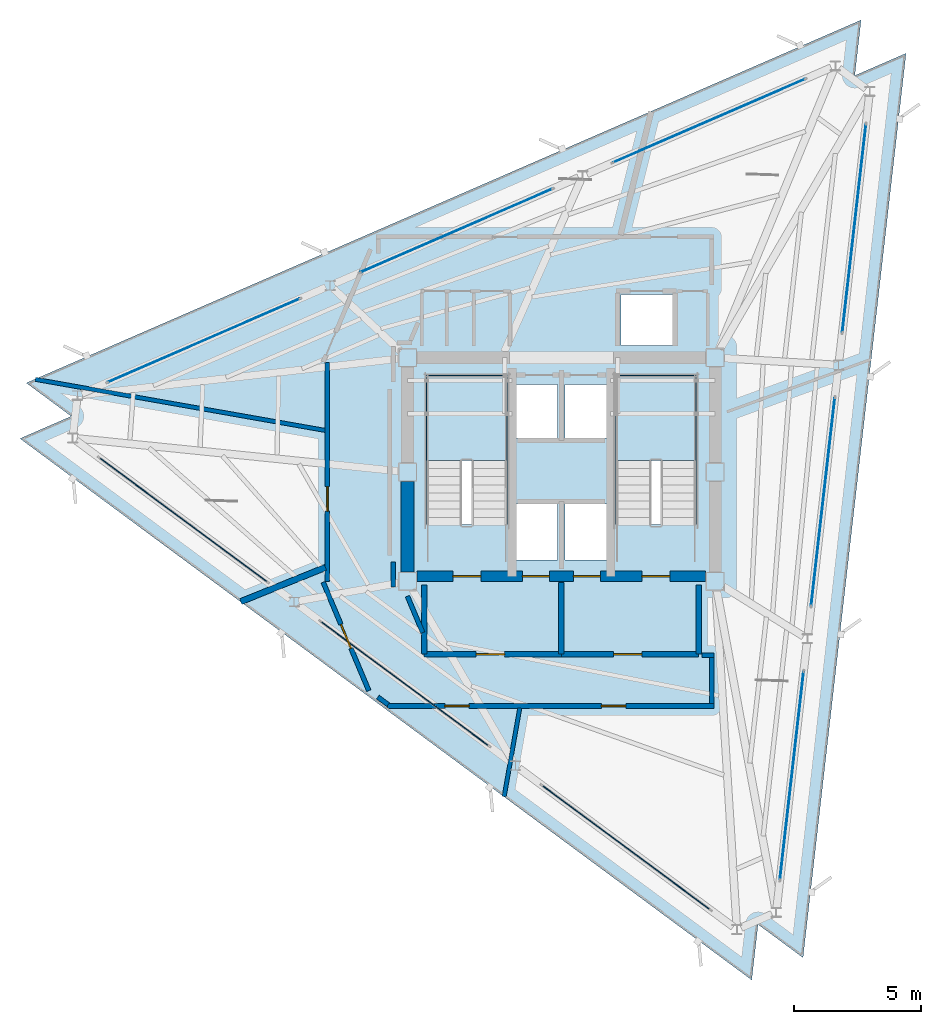
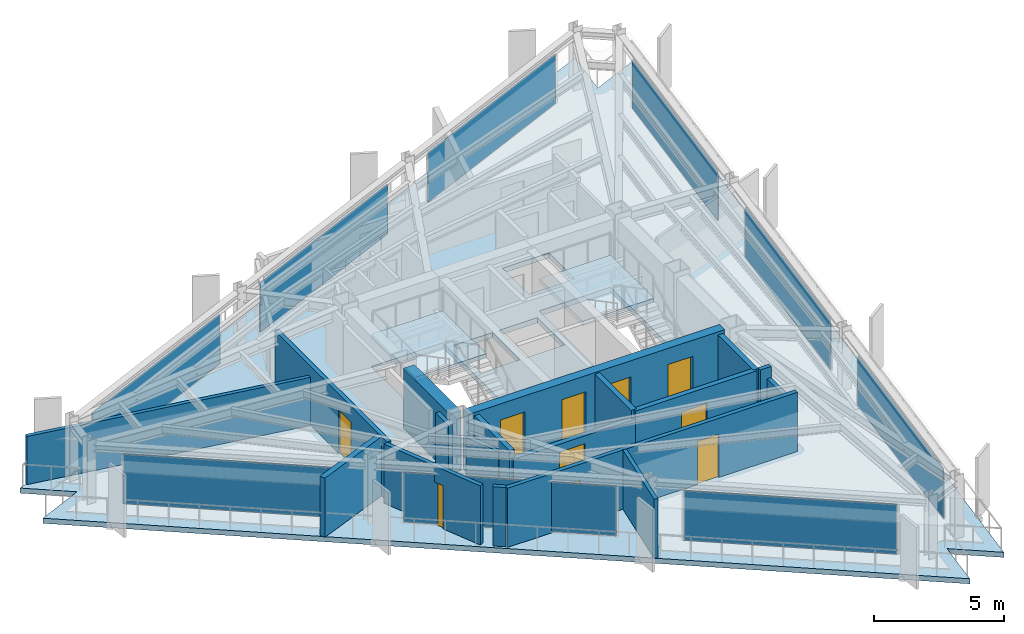
# One storey, part 5 of 10: 18 walls, 10 doors, 9 plates, 3 slabs, 10 openings, 11 elements without a shape of their own.
"""IFC4 building model written with IfcOpenShell, lengths in metres."""

import ifcopenshell
import ifcopenshell.guid

model = None  # the IFC model being written
_history = None  # IfcOwnerHistory: only IFC2X3 demands one
_inside = {}  # id of a spatial element -> (the spatial element, [elements in it])
_under = {}  # id of a project, library or spatial element -> (it, [spatial elements below it])
_declared = {}  # id of a project -> (the project, [libraries it declares])
_typed = {}  # id of a type object -> (the type object, [elements of that type])
_made_of = {}  # id of a material, layer set ... -> (it, [elements and type objects made of it])


def new_model(schema):
    """Start an empty IFC model of exactly this schema.

    Asked for "IFC4X3", IfcOpenShell would pick the latest addendum, in which some entities
    have other attributes; the version numbers below select the first issue.
    IFC2X3 requires an IfcOwnerHistory on every rooted entity: one is made here for all.
    """
    global model, _history
    if schema == "IFC4X3":
        model = ifcopenshell.file(schema_version=(4, 3, 0, 0))
    else:
        model = ifcopenshell.file(schema=schema)
    _inside.clear()
    _under.clear()
    _declared.clear()
    _typed.clear()
    _made_of.clear()
    _history = None
    if model.schema == "IFC2X3":
        org = make("IfcOrganization", Name="unknown")
        user = make(
            "IfcPersonAndOrganization",
            ThePerson=make("IfcPerson", FamilyName="unknown"),
            TheOrganization=org,
        )
        app = make(
            "IfcApplication",
            ApplicationDeveloper=org,
            Version="unknown",
            ApplicationFullName="unknown",
            ApplicationIdentifier="unknown",
        )
        _history = make(
            "IfcOwnerHistory",
            OwningUser=user,
            OwningApplication=app,
            ChangeAction="ADDED",
            CreationDate=0,
        )
    return model


def make(cls, **values):
    """One entity of the class cls with the attributes given. An attribute that is None is left unset."""
    return model.create_entity(
        cls, **{name: value for name, value in values.items() if value is not None}
    )


def rooted(cls, **values):
    """An entity with a GlobalId (a new one), such as an element, a storey or a relation."""
    return make(cls, GlobalId=ifcopenshell.guid.new(), OwnerHistory=_history, **values)


def si_unit(unit_type, name, prefix=None):
    """IfcSIUnit, for example si_unit("LENGTHUNIT", "METRE", prefix="MILLI")."""
    return make("IfcSIUnit", UnitType=unit_type, Prefix=prefix, Name=name)


def assignment(units):
    """IfcUnitAssignment: the units of a project."""
    return None if units is None else make("IfcUnitAssignment", Units=units)


def point(xyz):
    """IfcCartesianPoint."""
    return None if xyz is None else make("IfcCartesianPoint", Coordinates=xyz)


def direction(xyz):
    """IfcDirection."""
    return None if xyz is None else make("IfcDirection", DirectionRatios=xyz)


def frame(location, z_axis=None, x_axis=None):
    """IfcAxis2Placement3D, a coordinate frame: its origin and axes. An axis left out is left unset."""
    return make(
        "IfcAxis2Placement3D",
        Location=point(location),
        Axis=direction(z_axis),
        RefDirection=direction(x_axis),
    )


def frame_2d(location, x_axis=None):
    """IfcAxis2Placement2D, a coordinate frame in the plane: its origin and x axis."""
    return make(
        "IfcAxis2Placement2D", Location=point(location), RefDirection=direction(x_axis)
    )


def origin():
    """The frame at (0, 0, 0) with its axes left unset."""
    return frame((0.0, 0.0, 0.0))


def origin_2d():
    """The frame at (0, 0) in the plane with its x axis left unset."""
    return frame_2d((0.0, 0.0))


def place(relative_to, where):
    """IfcLocalPlacement: puts the frame where relative to a parent placement (None: the world)."""
    return make(
        "IfcLocalPlacement", PlacementRelTo=relative_to, RelativePlacement=where
    )


def context(
    kind, dimensions, precision=None, world=None, true_north=None, identifier=None
):
    """IfcGeometricRepresentationContext, for example the 3D "Model" context."""
    return make(
        "IfcGeometricRepresentationContext",
        ContextIdentifier=identifier,
        ContextType=kind,
        CoordinateSpaceDimension=dimensions,
        Precision=precision,
        WorldCoordinateSystem=world,
        TrueNorth=true_north,
    )


def subcontext(parent, identifier, kind, view, scale=None):
    """IfcGeometricRepresentationSubContext, for example "Body" below "Model"."""
    return make(
        "IfcGeometricRepresentationSubContext",
        ContextIdentifier=identifier,
        ContextType=kind,
        ParentContext=parent,
        TargetScale=scale,
        TargetView=view,
    )


def project(units=None, contexts=None):
    """IfcProject with its units and contexts."""
    return rooted(
        "IfcProject",
        Name="project",
        RepresentationContexts=contexts,
        UnitsInContext=assignment(units),
    )


def spatial(cls, under=None, at=None, **own):
    """A site, building, storey or space (cls), placed at a placement, below another one or the project."""
    s = rooted(cls, ObjectPlacement=at, **own)
    if under is not None:
        _under.setdefault(under.id(), (under, []))[1].append(s)
    return s


def polyline(points):
    """IfcPolyline through the points."""
    return make("IfcPolyline", Points=[point(p) for p in points])


def profile(cls, at=None, kind="AREA", **sizes):
    """A parametric profile (cls). Its sizes go by their IFC names, for example OverallWidth=200.0."""
    return make(cls, ProfileType=kind, Position=at, **sizes)


def rectangle(**sizes):
    """IfcRectangleProfileDef."""
    return profile("IfcRectangleProfileDef", **sizes)


def outline(outer, holes=None, kind="AREA"):
    """IfcArbitraryClosedProfileDef: a profile drawn as a closed curve; with holes, ...WithVoids."""
    if holes is None:
        return make("IfcArbitraryClosedProfileDef", ProfileType=kind, OuterCurve=outer)
    return make(
        "IfcArbitraryProfileDefWithVoids",
        ProfileType=kind,
        OuterCurve=outer,
        InnerCurves=holes,
    )


def extrude(swept, where, along, depth):
    """IfcExtrudedAreaSolid: the profile swept, set in the frame where, extruded along a direction by depth."""
    return make(
        "IfcExtrudedAreaSolid",
        SweptArea=swept,
        Position=where,
        ExtrudedDirection=direction(along),
        Depth=depth,
    )


def shape(context_of_items, identifier, shape_type, items):
    """IfcShapeRepresentation: the items that make up one representation, for example the "Body"."""
    return make(
        "IfcShapeRepresentation",
        ContextOfItems=context_of_items,
        RepresentationIdentifier=identifier,
        RepresentationType=shape_type,
        Items=items,
    )


def material(Name=None, Category=None):
    """IfcMaterial."""
    return make("IfcMaterial", Name=Name, Category=Category)


def layer(
    of_material, thickness, ventilated=None, Name=None, Category=None, Priority=None
):
    """IfcMaterialLayer: one layer of a wall or slab, of a material (None: an air gap)."""
    return make(
        "IfcMaterialLayer",
        Material=of_material,
        LayerThickness=thickness,
        IsVentilated=ventilated,
        Name=Name,
        Category=Category,
        Priority=Priority,
    )


def layer_set(layers, Name=None):
    """IfcMaterialLayerSet."""
    return make("IfcMaterialLayerSet", MaterialLayers=layers, LayerSetName=Name)


def made_of(thing, what):
    """Note that an element or type object is made of a material, layer set ...; save() writes the relation."""
    if what is not None:
        _made_of.setdefault(what.id(), (what, []))[1].append(thing)
    return thing


def type_object(cls, material=None, **own):
    """A type object (cls), such as IfcWallType, which elements share."""
    return made_of(rooted(cls, **own), material)


def element(
    cls,
    number,
    at=None,
    inside=None,
    cuts=None,
    type_object=None,
    material=None,
    context=None,
    identifier="Body",
    shape_type=None,
    held_by="IfcProductDefinitionShape",
    body=None,
    shapes=None,
    **own,
):
    """One element of the class cls, such as IfcWall. Its Tag is "e" and its number.

    at: its placement. inside: the storey or other place that contains it. cuts: it is an
    opening in that element (IfcRelVoidsElement). A single representation is given by context,
    identifier, shape_type and body (its items); several are given by shapes. held_by: the class
    of the entity that holds the representations. save() writes the other relations.
    """
    e = rooted(cls, Tag="e%d" % number, ObjectPlacement=at, **own)
    if body is not None:
        shapes = [shape(context, identifier, shape_type, body)]
    if shapes is not None:
        e.Representation = make(held_by, Representations=shapes)
    if inside is not None:
        _inside.setdefault(inside.id(), (inside, []))[1].append(e)
    if cuts is not None:
        rooted(
            "IfcRelVoidsElement", RelatingBuildingElement=cuts, RelatedOpeningElement=e
        )
    if type_object is not None:
        _typed.setdefault(type_object.id(), (type_object, []))[1].append(e)
    return made_of(e, material)


def fill(opening, filler):
    """IfcRelFillsElement: the door or window that sits in an opening."""
    return rooted(
        "IfcRelFillsElement",
        RelatingOpeningElement=opening,
        RelatedBuildingElement=filler,
    )


def aggregate(whole, parts):
    """IfcRelAggregates: a whole, such as a stair, and the parts it consists of."""
    return rooted("IfcRelAggregates", RelatingObject=whole, RelatedObjects=parts)


def save(model, path):
    """Write the relations noted so far, then the file.

    IfcRelAggregates (storeys below a building ...), IfcRelContainedInSpatialStructure (elements
    in a storey), IfcRelDefinesByType, IfcRelAssociatesMaterial and IfcRelDeclares: one each for
    every whole, place, type object, material and project.
    """
    for whole, parts in _under.values():
        aggregate(whole, parts)
    for where, things in _inside.values():
        rooted(
            "IfcRelContainedInSpatialStructure",
            RelatedElements=things,
            RelatingStructure=where,
        )
    for kind, things in _typed.values():
        rooted("IfcRelDefinesByType", RelatedObjects=things, RelatingType=kind)
    for what, things in _made_of.values():
        rooted("IfcRelAssociatesMaterial", RelatedObjects=things, RelatingMaterial=what)
    for by, libraries in _declared.values():
        rooted("IfcRelDeclares", RelatingContext=by, RelatedDefinitions=libraries)
    model.write(path)


model = new_model("IFC4")

# Units and contexts
model_context = context("Model", 3, precision=1e-05, world=origin(), true_north=direction((0.0, 1.0)))
body_context = subcontext(model_context, "Body", "Model", "MODEL_VIEW")
ifc_project = project(units=[si_unit("LENGTHUNIT", "METRE"), si_unit("AREAUNIT", "SQUARE_METRE"), si_unit("VOLUMEUNIT", "CUBIC_METRE"), si_unit("PLANEANGLEUNIT", "RADIAN"), si_unit("MASSUNIT", "GRAM", prefix="KILO")], contexts=[model_context])

# Site, building, storey
site_placement = place(None, origin())
site = spatial("IfcSite", under=ifc_project, at=site_placement, CompositionType="ELEMENT")
building_placement = place(site_placement, origin())
building = spatial("IfcBuilding", under=site, at=building_placement, Name="Rocaltana Carrier Exchange", CompositionType="ELEMENT")
storey_placement = place(building_placement, frame((0.0, 0.0, 217.919921875)))
storey = spatial("IfcBuildingStorey", under=building, at=storey_placement, Name="L69", CompositionType="ELEMENT", Elevation=217.919921875)

# Curtain wall, plate
ifc_material_1 = material(Name="Aluminium 6063-T6", Category="aluminium")
ifc_layer_1 = layer(ifc_material_1, 0.1201171875)
ifc_layer_set_1 = layer_set([ifc_layer_1], Name="Aluminium 6063-T6")
curtain_wall_type = type_object("IfcCurtainWallType", Name="High-Altitude Thermal Curtain Wall CW-05", PredefinedType="NOTDEFINED", material=ifc_layer_set_1)
curtain_wall_1_placement = place(storey_placement, origin())
curtain_wall_1 = element("IfcCurtainWall", 1, at=curtain_wall_1_placement, inside=storey, type_object=curtain_wall_type, Name="L69 CW-05 Run CW-L69-F1S1", PredefinedType="NOTDEFINED")
ifc_material_2 = material(Name="Tempered Laminated Glass", Category="glass")
ifc_layer_2 = layer(ifc_material_2, 0.035888671875)
ifc_layer_set_2 = layer_set([ifc_layer_2], Name="Tempered Laminated Glass")
plate_type = type_object("IfcPlateType", Name="CW-05 Stone-Insulated Vision Panel", PredefinedType="CURTAIN_PANEL", material=ifc_layer_set_2)
plate_1_placement = place(storey_placement, frame((9.061767578125, -11.935791015625, 0.06005859375), z_axis=(0.0, 0.0, 1.0), x_axis=(0.113208822277, 0.993571216652, 0.0)))
plate_1 = element("IfcPlate", 2, at=plate_1_placement, type_object=plate_type, Name="CW-05 panel 1.1", PredefinedType="CURTAIN_PANEL", context=body_context, shape_type="SweptSolid", body=[
    extrude(rectangle(XDim=8.21337890625, YDim=0.035888671875, at=origin_2d()), origin(), (0.0, 0.0, 1.0), 2.327880859375),
])
aggregate(curtain_wall_1, [plate_1])

curtain_wall_2_placement = place(storey_placement, origin())
curtain_wall_2 = element("IfcCurtainWall", 3, at=curtain_wall_2_placement, inside=storey, type_object=curtain_wall_type, Name="L69 CW-05 Run CW-L69-F1S2", PredefinedType="NOTDEFINED")
plate_2_placement = place(storey_placement, frame((10.2880859375, -1.172119140625, 0.06005859375), z_axis=(0.0, 0.0, 1.0), x_axis=(0.113208822277, 0.993571216652, 0.0)))
plate_2 = element("IfcPlate", 4, at=plate_2_placement, type_object=plate_type, Name="CW-05 panel 1.1", PredefinedType="CURTAIN_PANEL", context=body_context, shape_type="SweptSolid", body=[
    extrude(rectangle(XDim=8.21337890625, YDim=0.035888671875, at=origin_2d()), origin(), (0.0, 0.0, 1.0), 2.327880859375),
])
aggregate(curtain_wall_2, [plate_2])

curtain_wall_3_placement = place(storey_placement, origin())
curtain_wall_3 = element("IfcCurtainWall", 5, at=curtain_wall_3_placement, inside=storey, type_object=curtain_wall_type, Name="L69 CW-05 Run CW-L69-F1S3", PredefinedType="NOTDEFINED")
plate_3_placement = place(storey_placement, frame((11.5146484375, 9.591552734375, 0.06005859375), z_axis=(0.0, 0.0, 1.0), x_axis=(0.113196975964, 0.993572566365, 0.0)))
plate_3 = element("IfcPlate", 6, at=plate_3_placement, type_object=plate_type, Name="CW-05 panel 1.1", PredefinedType="CURTAIN_PANEL", context=body_context, shape_type="SweptSolid", body=[
    extrude(rectangle(XDim=8.21337890625, YDim=0.035888671875, at=origin_2d()), origin(), (0.0, 0.0, 1.0), 2.327880859375),
])
aggregate(curtain_wall_3, [plate_3])

curtain_wall_4_placement = place(storey_placement, origin())
curtain_wall_4 = element("IfcCurtainWall", 7, at=curtain_wall_4_placement, inside=storey, type_object=curtain_wall_type, Name="L69 CW-05 Run CW-L69-F2S1", PredefinedType="NOTDEFINED")
plate_4_placement = place(storey_placement, frame((5.805908203125, 13.815673828125, 0.06005859375), z_axis=(0.0, 0.0, 1.0), x_axis=(-0.917056701313, -0.39875682637, 0.0)))
plate_4 = element("IfcPlate", 8, at=plate_4_placement, type_object=plate_type, Name="CW-05 panel 1.1", PredefinedType="CURTAIN_PANEL", context=body_context, shape_type="SweptSolid", body=[
    extrude(rectangle(XDim=8.21337890625, YDim=0.035888671875, at=origin_2d()), origin(), (0.0, 0.0, 1.0), 2.327880859375),
])
aggregate(curtain_wall_4, [plate_4])

curtain_wall_5_placement = place(storey_placement, origin())
curtain_wall_5 = element("IfcCurtainWall", 9, at=curtain_wall_5_placement, inside=storey, type_object=curtain_wall_type, Name="L69 CW-05 Run CW-L69-F2S2", PredefinedType="NOTDEFINED")
plate_5_placement = place(storey_placement, frame((-4.12890625, 9.495849609375, 0.06005859375), z_axis=(0.0, 0.0, 1.0), x_axis=(-0.917058609352, -0.398752438254, 0.0)))
plate_5 = element("IfcPlate", 10, at=plate_5_placement, type_object=plate_type, Name="CW-05 panel 1.1", PredefinedType="CURTAIN_PANEL", context=body_context, shape_type="SweptSolid", body=[
    extrude(rectangle(XDim=8.21337890625, YDim=0.035888671875, at=origin_2d()), origin(), (0.0, 0.0, 1.0), 2.327880859375),
])
aggregate(curtain_wall_5, [plate_5])

curtain_wall_6_placement = place(storey_placement, origin())
curtain_wall_6 = element("IfcCurtainWall", 11, at=curtain_wall_6_placement, inside=storey, type_object=curtain_wall_type, Name="L69 CW-05 Run CW-L69-F2S3", PredefinedType="NOTDEFINED")
plate_6_placement = place(storey_placement, frame((-14.063720703125, 5.176025390625, 0.06005859375), z_axis=(0.0, 0.0, 1.0), x_axis=(-0.917056701313, -0.39875682637, 0.0)))
plate_6 = element("IfcPlate", 12, at=plate_6_placement, type_object=plate_type, Name="CW-05 panel 1.1", PredefinedType="CURTAIN_PANEL", context=body_context, shape_type="SweptSolid", body=[
    extrude(rectangle(XDim=8.21337890625, YDim=0.035888671875, at=origin_2d()), origin(), (0.0, 0.0, 1.0), 2.327880859375),
])
aggregate(curtain_wall_6, [plate_6])

curtain_wall_7_placement = place(storey_placement, origin())
curtain_wall_7 = element("IfcCurtainWall", 13, at=curtain_wall_7_placement, inside=storey, type_object=curtain_wall_type, Name="L69 CW-05 Run CW-L69-F3S1", PredefinedType="NOTDEFINED")
plate_7_placement = place(storey_placement, frame((-14.86767578125, -1.8798828125, 0.06005859375), z_axis=(0.0, 0.0, 1.0), x_axis=(0.803854063386, -0.594826566974, 0.0)))
plate_7 = element("IfcPlate", 14, at=plate_7_placement, type_object=plate_type, Name="CW-05 panel 1.1", PredefinedType="CURTAIN_PANEL", context=body_context, shape_type="SweptSolid", body=[
    extrude(rectangle(XDim=8.21337890625, YDim=0.035888671875, at=origin_2d()), origin(), (0.0, 0.0, 1.0), 2.327880859375),
])
aggregate(curtain_wall_7, [plate_7])

curtain_wall_8_placement = place(storey_placement, origin())
curtain_wall_8 = element("IfcCurtainWall", 15, at=curtain_wall_8_placement, inside=storey, type_object=curtain_wall_type, Name="L69 CW-05 Run CW-L69-F3S2", PredefinedType="NOTDEFINED")
plate_8_placement = place(storey_placement, frame((-6.1591796875, -8.32373046875, 0.06005859375), z_axis=(0.0, 0.0, 1.0), x_axis=(0.803858309141, -0.594820829179, 0.0)))
plate_8 = element("IfcPlate", 16, at=plate_8_placement, type_object=plate_type, Name="CW-05 panel 1.1", PredefinedType="CURTAIN_PANEL", context=body_context, shape_type="SweptSolid", body=[
    extrude(rectangle(XDim=8.21337890625, YDim=0.035888671875, at=origin_2d()), origin(), (0.0, 0.0, 1.0), 2.327880859375),
])
aggregate(curtain_wall_8, [plate_8])

curtain_wall_9_placement = place(storey_placement, origin())
curtain_wall_9 = element("IfcCurtainWall", 17, at=curtain_wall_9_placement, inside=storey, type_object=curtain_wall_type, Name="L69 CW-05 Run CW-L69-F3S3", PredefinedType="NOTDEFINED")
plate_9_placement = place(storey_placement, frame((2.54931640625, -14.767578125, 0.06005859375), z_axis=(0.0, 0.0, 1.0), x_axis=(0.803854063386, -0.594826566974, 0.0)))
plate_9 = element("IfcPlate", 18, at=plate_9_placement, type_object=plate_type, Name="CW-05 panel 1.1", PredefinedType="CURTAIN_PANEL", context=body_context, shape_type="SweptSolid", body=[
    extrude(rectangle(XDim=8.21337890625, YDim=0.035888671875, at=origin_2d()), origin(), (0.0, 0.0, 1.0), 2.327880859375),
])
aggregate(curtain_wall_9, [plate_9])

# Slab
ifc_material_3 = material(Name="Concrete C50/60", Category="concrete")
ifc_layer_3 = layer(ifc_material_3, 0.239990234375)
ifc_layer_set_3 = layer_set([ifc_layer_3], Name="Concrete C50/60")
slab_type_1 = type_object("IfcSlabType", Name="High-Zone Tower Slab 240", PredefinedType="FLOOR", material=ifc_layer_set_3)
slab_1_placement = place(storey_placement, frame((0.0, 0.0, -0.239990234375)))
element("IfcSlab", 19, at=slab_1_placement, inside=storey, type_object=slab_type_1, Name="L69 Structural Floor Slab", PredefinedType="FLOOR", context=body_context, shape_type="SweptSolid", body=[
    extrude(outline(polyline([(7.486328125, -19.975830078125), (7.7353515625, -17.7900390625), (9.50390625, -19.0986328125), (13.556396484375, 16.47119140625), (11.538818359375, 15.593994140625), (11.7880859375, 17.77978515625), (-21.042724609375, 3.504638671875), (-19.2744140625, 2.196044921875), (-21.291748046875, 1.31884765625), (7.486328125, -19.975830078125)]), holes=[polyline([(-5.300048828125, -2.06005859375), (-2.139892578125, -2.06005859375), (-2.139892578125, 3.800048828125), (-5.300048828125, 3.800048828125), (-5.300048828125, -2.06005859375)]), polyline([(2.139892578125, -2.06005859375), (5.300048828125, -2.06005859375), (5.300048828125, 3.800048828125), (2.139892578125, 3.800048828125), (2.139892578125, -2.06005859375)]), polyline([(-1.85009765625, -3.449951171875), (-0.14990234375, -3.449951171875), (-0.14990234375, -1.25), (-1.85009765625, -1.25), (-1.85009765625, -3.449951171875)]), polyline([(0.14990234375, -3.449951171875), (1.85009765625, -3.449951171875), (1.85009765625, -1.25), (0.14990234375, -1.25), (0.14990234375, -3.449951171875)]), polyline([(2.35009765625, 4.97998046875), (4.39990234375, 4.97998046875), (4.39990234375, 6.97998046875), (2.35009765625, 6.97998046875), (2.35009765625, 4.97998046875)]), polyline([(-1.85009765625, 1.35009765625), (-0.14990234375, 1.35009765625), (-0.14990234375, 3.449951171875), (-1.85009765625, 3.449951171875), (-1.85009765625, 1.35009765625)]), polyline([(0.14990234375, 1.35009765625), (1.85009765625, 1.35009765625), (1.85009765625, 3.449951171875), (0.14990234375, 3.449951171875), (0.14990234375, 1.35009765625)])]), origin(), (0.0, 0.0, 1.0), 0.239990234375),
])

# Stair, slab
ifc_material_4 = material(Name="Precast concrete C45/55", Category="concrete")
stair_type = type_object("IfcStairType", Name="Standard Dog-Leg Stair 160", PredefinedType="HALF_TURN_STAIR", material=ifc_material_4)
stair_1_placement = place(storey_placement, origin())
stair_1 = element("IfcStair", 20, at=stair_1_placement, inside=storey, type_object=stair_type, Name="L69 Core West Exit Stair ST-1", PredefinedType="HALF_TURN_STAIR")
ifc_material_5 = material(Name="Precast concrete C45/55", Category="concrete")
ifc_layer_4 = layer(ifc_material_5, 0.199951171875)
ifc_layer_set_4 = layer_set([ifc_layer_4], Name="Precast concrete C45/55")
slab_type_2 = type_object("IfcSlabType", Name="Precast Stair Half-Landing 200", PredefinedType="LANDING", material=ifc_layer_set_4)
slab_2_placement = place(storey_placement, frame((0.0, 0.0, 1.320068359375)))
slab_2 = element("IfcSlab", 21, at=slab_2_placement, type_object=slab_type_2, Name="ST-1 landing 1", PredefinedType="LANDING", context=body_context, shape_type="SweptSolid", body=[
    extrude(outline(polyline([(-2.139892578125, 0.4599609375), (-2.139892578125, 3.800048828125), (-5.300048828125, 3.800048828125), (-5.300048828125, 0.4599609375), (-2.139892578125, 0.4599609375)])), origin(), (0.0, 0.0, 1.0), 0.199951171875),
])
aggregate(stair_1, [slab_2])

stair_2_placement = place(storey_placement, origin())
stair_2 = element("IfcStair", 22, at=stair_2_placement, inside=storey, type_object=stair_type, Name="L69 Core East Exit Stair ST-2", PredefinedType="HALF_TURN_STAIR")
slab_3_placement = place(storey_placement, frame((0.0, 0.0, 1.320068359375)))
slab_3 = element("IfcSlab", 23, at=slab_3_placement, type_object=slab_type_2, Name="ST-2 landing 1", PredefinedType="LANDING", context=body_context, shape_type="SweptSolid", body=[
    extrude(outline(polyline([(5.300048828125, 0.4599609375), (5.300048828125, 3.800048828125), (2.139892578125, 3.800048828125), (2.139892578125, 0.4599609375), (5.300048828125, 0.4599609375)])), origin(), (0.0, 0.0, 1.0), 0.199951171875),
])
aggregate(stair_2, [slab_3])

# Walls
ifc_material_6 = material(Name="Double Acoustic Gypsum Partition", Category="gypsum")
ifc_layer_5 = layer(ifc_material_6, 0.159912109375)
ifc_layer_set_5 = layer_set([ifc_layer_5], Name="Double Acoustic Gypsum Partition")
wall_type_1 = type_object("IfcWallType", Name="Acoustic Studio Partition 160 EI60", PredefinedType="PARTITIONING", material=ifc_layer_set_5)
wall_1_placement = place(storey_placement, frame((-1.63623046875, -9.280029296875, 0.0), z_axis=(0.0, 0.0, 1.0), x_axis=(-0.17367100135, -0.984803728308, 0.0)))
element("IfcWall", 24, at=wall_1_placement, inside=storey, type_object=wall_type_1, Name="L69 Suite Divider Wall D2", PredefinedType="PARTITIONING", context=body_context, shape_type="SweptSolid", body=[
    extrude(rectangle(XDim=3.53271484375, YDim=0.159912109375, at=frame_2d((1.766357421875, 0.0))), origin(), (0.0, 0.0, 1.0), 2.773193359375),
])
wall_2_placement = place(storey_placement, frame((-9.280029296875, 1.63623046875, 0.0), z_axis=(0.0, 0.0, 1.0), x_axis=(-0.984805616272, 0.173660295285, 0.0)))
element("IfcWall", 25, at=wall_2_placement, inside=storey, type_object=wall_type_1, Name="L69 Suite Divider Wall D5", PredefinedType="PARTITIONING", context=body_context, shape_type="SweptSolid", body=[
    extrude(rectangle(XDim=11.584228515625, YDim=0.159912109375, at=frame_2d((5.7919921875, 0.0))), origin(), (0.0, 0.0, 1.0), 2.253173828125),
])

# Wall, openings, doors
ifc_material_7 = material(Name="Concrete C50/60", Category="concrete")
ifc_layer_6 = layer(ifc_material_7, 0.39990234375)
ifc_layer_set_6 = layer_set([ifc_layer_6], Name="Concrete C50/60")
wall_type_2 = type_object("IfcWallType", Name="Core Internal Shear Wall 400", PredefinedType="SHEAR", material=ifc_layer_set_6)
wall_3_placement = place(storey_placement, frame((-5.675048828125, -4.10009765625, 0.0), z_axis=(0.0, 0.0, 1.0), x_axis=(1.0, 0.0, 0.0)))
wall_3 = element("IfcWall", 26, at=wall_3_placement, inside=storey, type_object=wall_type_2, Name="L69 Core Shear Wall CW-S", PredefinedType="SHEAR", context=body_context, shape_type="SweptSolid", body=[
    extrude(rectangle(XDim=11.35009765625, YDim=0.39990234375, at=frame_2d((5.675048828125, 0.0))), origin(), (0.0, 0.0, 1.0), 2.798095703125),
])
opening_1_placement = place(wall_3_placement, frame((1.405029296875, 0.0, 0.0)))
opening_1 = element("IfcOpeningElement", 27, at=opening_1_placement, cuts=wall_3, Name="Opening D-ST110", PredefinedType="OPENING", context=body_context, shape_type="SweptSolid", body=[
    extrude(rectangle(XDim=1.10009765625, YDim=2.0400390625, at=frame_2d((0.550048828125, 1.02001953125))), frame((0.0, 0.2099609375, 0.0), z_axis=(0.0, -1.0, 0.0), x_axis=(1.0, 0.0, 0.0)), (0.0, 0.0, 1.0), 0.419921875),
])
opening_2_placement = place(wall_3_placement, frame((8.844970703125, 0.0, 0.0)))
opening_2 = element("IfcOpeningElement", 28, at=opening_2_placement, cuts=wall_3, Name="Opening D-ST110", PredefinedType="OPENING", context=body_context, shape_type="SweptSolid", body=[
    extrude(rectangle(XDim=1.10009765625, YDim=2.0400390625, at=frame_2d((0.550048828125, 1.02001953125))), frame((0.0, 0.2099609375, 0.0), z_axis=(0.0, -1.0, 0.0), x_axis=(1.0, 0.0, 0.0)), (0.0, 0.0, 1.0), 0.419921875),
])
opening_3_placement = place(wall_3_placement, frame((4.14501953125, 0.0, 0.0)))
opening_3 = element("IfcOpeningElement", 29, at=opening_3_placement, cuts=wall_3, Name="Opening LD-110", PredefinedType="OPENING", context=body_context, shape_type="SweptSolid", body=[
    extrude(rectangle(XDim=1.06005859375, YDim=2.0400390625, at=frame_2d((0.530029296875, 1.02001953125))), frame((0.0, 0.2099609375, 0.0), z_axis=(0.0, -1.0, 0.0), x_axis=(1.0, 0.0, 0.0)), (0.0, 0.0, 1.0), 0.419921875),
])
opening_4_placement = place(wall_3_placement, frame((6.14501953125, 0.0, 0.0)))
opening_4 = element("IfcOpeningElement", 30, at=opening_4_placement, cuts=wall_3, Name="Opening LD-110", PredefinedType="OPENING", context=body_context, shape_type="SweptSolid", body=[
    extrude(rectangle(XDim=1.06005859375, YDim=2.0400390625, at=frame_2d((0.530029296875, 1.02001953125))), frame((0.0, 0.2099609375, 0.0), z_axis=(0.0, -1.0, 0.0), x_axis=(1.0, 0.0, 0.0)), (0.0, 0.0, 1.0), 0.419921875),
])
ifc_material_8 = material(Name="Hollow Metal Fire Door Assembly", Category="steel")
door_type_1 = type_object("IfcDoorType", Name="Exit Stair Fire Door 1100x2040 FD90S", OperationType="NOTDEFINED", PredefinedType="DOOR", material=ifc_material_8)
door_1_placement = place(opening_1_placement, origin())
door_1 = element("IfcDoor", 31, at=door_1_placement, inside=storey, type_object=door_type_1, Name="L69 Exit Stair ST1 Fire Door", OperationType="SINGLE_SWING_RIGHT", OverallHeight=2.0400390625, OverallWidth=1.10009765625, PredefinedType="DOOR", context=body_context, shape_type="SweptSolid", body=[
    extrude(rectangle(XDim=1.10009765625, YDim=2.0400390625, at=frame_2d((0.550048828125, 1.02001953125))), frame((0.0, 0.02490234375, 0.0), z_axis=(0.0, -1.0, 0.0), x_axis=(1.0, 0.0, 0.0)), (0.0, 0.0, 1.0), 0.050048828125),
])
fill(opening_1, door_1)
door_2_placement = place(opening_2_placement, origin())
door_2 = element("IfcDoor", 32, at=door_2_placement, inside=storey, type_object=door_type_1, Name="L69 Exit Stair ST2 Fire Door", OperationType="SINGLE_SWING_LEFT", OverallHeight=2.0400390625, OverallWidth=1.10009765625, PredefinedType="DOOR", context=body_context, shape_type="SweptSolid", body=[
    extrude(rectangle(XDim=1.10009765625, YDim=2.0400390625, at=frame_2d((0.550048828125, 1.02001953125))), frame((0.0, 0.02490234375, 0.0), z_axis=(0.0, -1.0, 0.0), x_axis=(1.0, 0.0, 0.0)), (0.0, 0.0, 1.0), 0.050048828125),
])
fill(opening_2, door_2)
ifc_material_9 = material(Name="Brushed Stainless Sliding Door Leaf", Category="steel")
door_type_2 = type_object("IfcDoorType", Name="Lift Landing Sliding Door 1060x2040", OperationType="NOTDEFINED", PredefinedType="DOOR", material=ifc_material_9)
door_3_placement = place(opening_3_placement, origin())
door_3 = element("IfcDoor", 33, at=door_3_placement, inside=storey, type_object=door_type_2, Name="L69 Firefighting Lift FFL1 Landing Door", OperationType="SLIDING_TO_LEFT", OverallHeight=2.0400390625, OverallWidth=1.06005859375, PredefinedType="DOOR", context=body_context, shape_type="SweptSolid", body=[
    extrude(rectangle(XDim=1.06005859375, YDim=2.0400390625, at=frame_2d((0.530029296875, 1.02001953125))), frame((0.0, 0.02490234375, 0.0), z_axis=(0.0, -1.0, 0.0), x_axis=(1.0, 0.0, 0.0)), (0.0, 0.0, 1.0), 0.050048828125),
])
fill(opening_3, door_3)
door_4_placement = place(opening_4_placement, origin())
door_4 = element("IfcDoor", 34, at=door_4_placement, inside=storey, type_object=door_type_2, Name="L69 Firefighting Lift FFL2 Landing Door", OperationType="SLIDING_TO_RIGHT", OverallHeight=2.0400390625, OverallWidth=1.06005859375, PredefinedType="DOOR", context=body_context, shape_type="SweptSolid", body=[
    extrude(rectangle(XDim=1.06005859375, YDim=2.0400390625, at=frame_2d((0.530029296875, 1.02001953125))), frame((0.0, 0.02490234375, 0.0), z_axis=(0.0, -1.0, 0.0), x_axis=(1.0, 0.0, 0.0)), (0.0, 0.0, 1.0), 0.050048828125),
])
fill(opening_4, door_4)

# Wall
ifc_material_10 = material(Name="Concrete C50/60", Category="concrete")
ifc_layer_7 = layer(ifc_material_10, 0.5)
ifc_layer_set_7 = layer_set([ifc_layer_7], Name="Concrete C50/60")
wall_type_3 = type_object("IfcWallType", Name="Core Shear Wall 500", PredefinedType="SHEAR", material=ifc_layer_set_7)
wall_4_placement = place(storey_placement, frame((-6.050048828125, -3.925048828125, 0.0), z_axis=(0.0, 0.0, 1.0), x_axis=(0.0, 1.0, 0.0)))
element("IfcWall", 35, at=wall_4_placement, inside=storey, type_object=wall_type_3, Name="L69 Core Shear Wall CW-WS", PredefinedType="SHEAR", context=body_context, shape_type="SweptSolid", body=[
    extrude(rectangle(XDim=3.550048828125, YDim=0.5, at=frame_2d((1.77490234375, 0.0))), origin(), (0.0, 0.0, 1.0), 2.798095703125),
])

# Wall, opening, door
ifc_material_11 = material(Name="Gypsum & Steel Stud Partition", Category="steel")
ifc_layer_8 = layer(ifc_material_11, 0.179931640625)
ifc_layer_set_8 = layer_set([ifc_layer_8], Name="Gypsum & Steel Stud Partition")
wall_type_4 = type_object("IfcWallType", Name="Corridor Fire Partition 180 EI60", PredefinedType="PARTITIONING", material=ifc_layer_set_8)
wall_5_placement = place(storey_placement, frame((-7.573974609375, -8.595703125, 0.0), z_axis=(0.0, 0.0, 1.0), x_axis=(-0.38757793583, 0.921836939842, 0.0)))
wall_5 = element("IfcWall", 36, at=wall_5_placement, inside=storey, type_object=wall_type_4, Name="L69 Corridor Partition 1", PredefinedType="PARTITIONING", context=body_context, shape_type="SweptSolid", body=[
    extrude(rectangle(XDim=4.62548828125, YDim=0.179931640625, at=frame_2d((2.312744140625, 0.0))), origin(), (0.0, 0.0, 1.0), 2.773193359375),
])
opening_5_placement = place(wall_5_placement, frame((1.802734375, 0.0, 0.0)))
opening_5 = element("IfcOpeningElement", 37, at=opening_5_placement, cuts=wall_5, Name="Opening D-LB104", PredefinedType="OPENING", context=body_context, shape_type="SweptSolid", body=[
    extrude(rectangle(XDim=1.02001953125, YDim=2.02001953125, at=frame_2d((0.510009765625, 1.010009765625))), frame((0.0, 0.099853515625, 0.0), z_axis=(0.0, -1.0, 0.0), x_axis=(1.0, 0.0, 0.0)), (0.0, 0.0, 1.0), 0.199951171875),
])
ifc_material_12 = material(Name="Powder-Coated Aluminium 6063-T6", Category="aluminium")
door_type_3 = type_object("IfcDoorType", Name="Laboratory Acoustic Door 1020x2020", OperationType="NOTDEFINED", PredefinedType="DOOR", material=ifc_material_12)
door_5_placement = place(opening_5_placement, origin())
door_5 = element("IfcDoor", 38, at=door_5_placement, inside=storey, type_object=door_type_3, Name="L69 Photonic Integration Workshop Entrance Door", OperationType="SINGLE_SWING_LEFT", OverallHeight=2.02001953125, OverallWidth=1.02001953125, PredefinedType="DOOR", context=body_context, shape_type="SweptSolid", body=[
    extrude(rectangle(XDim=1.02001953125, YDim=2.02001953125, at=frame_2d((0.510009765625, 1.010009765625))), frame((0.0, 0.02490234375, 0.0), z_axis=(0.0, -1.0, 0.0), x_axis=(1.0, 0.0, 0.0)), (0.0, 0.0, 1.0), 0.050048828125),
])
fill(opening_5, door_5)

wall_6_placement = place(storey_placement, frame((-9.199951171875, -4.303466796875, 0.0), z_axis=(0.0, 0.0, 1.0), x_axis=(0.0, 1.0, 0.0)))
wall_6 = element("IfcWall", 39, at=wall_6_placement, inside=storey, type_object=wall_type_4, Name="L69 Corridor Partition 2", PredefinedType="PARTITIONING", context=body_context, shape_type="SweptSolid", body=[
    extrude(rectangle(XDim=8.60693359375, YDim=0.179931640625, at=frame_2d((4.303466796875, 0.0))), origin(), (0.0, 0.0, 1.0), 2.773193359375),
])
opening_6_placement = place(wall_6_placement, frame((2.76708984375, 0.0, 0.0)))
opening_6 = element("IfcOpeningElement", 40, at=opening_6_placement, cuts=wall_6, Name="Opening D-RM098", PredefinedType="OPENING", context=body_context, shape_type="SweptSolid", body=[
    extrude(rectangle(XDim=0.9599609375, YDim=2.02001953125, at=frame_2d((0.47998046875, 1.010009765625))), frame((0.0, 0.099853515625, 0.0), z_axis=(0.0, -1.0, 0.0), x_axis=(1.0, 0.0, 0.0)), (0.0, 0.0, 1.0), 0.199951171875),
])
ifc_material_13 = material(Name="Engineered Hardwood Timber", Category="wood")
door_type_4 = type_object("IfcDoorType", Name="Workspace Single Door 960x2020", OperationType="NOTDEFINED", PredefinedType="DOOR", material=ifc_material_13)
door_6_placement = place(opening_6_placement, origin())
door_6 = element("IfcDoor", 41, at=door_6_placement, inside=storey, type_object=door_type_4, Name="L69 Network Engineering Studio Entrance Door", OperationType="SINGLE_SWING_RIGHT", OverallHeight=2.02001953125, OverallWidth=0.9599609375, PredefinedType="DOOR", context=body_context, shape_type="SweptSolid", body=[
    extrude(rectangle(XDim=0.9599609375, YDim=2.02001953125, at=frame_2d((0.47998046875, 1.010009765625))), frame((0.0, 0.02490234375, 0.0), z_axis=(0.0, -1.0, 0.0), x_axis=(1.0, 0.0, 0.0)), (0.0, 0.0, 1.0), 0.050048828125),
])
fill(opening_6, door_6)

# Walls
wall_7_placement = place(storey_placement, frame((-6.610107421875, -3.541259765625, 0.0), z_axis=(0.0, 0.0, 1.0), x_axis=(0.0, -1.0, 0.0)))
element("IfcWall", 42, at=wall_7_placement, inside=storey, type_object=wall_type_4, Name="L69 Corridor Partition 12", PredefinedType="PARTITIONING", context=body_context, shape_type="SweptSolid", body=[
    extrude(rectangle(XDim=0.978759765625, YDim=0.179931640625, at=frame_2d((0.4892578125, 0.0))), origin(), (0.0, 0.0, 1.0), 2.773193359375),
])
wall_8_placement = place(storey_placement, frame((-6.0546875, -4.881591796875, 0.0), z_axis=(0.0, 0.0, 1.0), x_axis=(0.387579540458, -0.921836265189, 0.0)))
element("IfcWall", 43, at=wall_8_placement, inside=storey, type_object=wall_type_4, Name="L69 Corridor Partition 13", PredefinedType="PARTITIONING", context=body_context, shape_type="SweptSolid", body=[
    extrude(rectangle(XDim=1.5546875, YDim=0.179931640625, at=frame_2d((0.77734375, 0.0))), origin(), (0.0, 0.0, 1.0), 2.253173828125),
])
wall_9_placement = place(storey_placement, frame((5.530029296875, -7.199951171875, 0.0), z_axis=(0.0, 0.0, 1.0), x_axis=(1.0, 0.0, 0.0)))
element("IfcWall", 44, at=wall_9_placement, inside=storey, type_object=wall_type_4, Name="L69 Corridor Partition 14", PredefinedType="PARTITIONING", context=body_context, shape_type="SweptSolid", body=[
    extrude(rectangle(XDim=0.47998046875, YDim=0.179931640625, at=frame_2d((0.239990234375, 0.0))), origin(), (0.0, 0.0, 1.0), 2.773193359375),
])
wall_10_placement = place(storey_placement, frame((5.919921875, -7.2900390625, 0.0), z_axis=(0.0, 0.0, 1.0), x_axis=(0.0, -1.0, 0.0)))
element("IfcWall", 45, at=wall_10_placement, inside=storey, type_object=wall_type_4, Name="L69 Corridor Partition 15", PredefinedType="PARTITIONING", context=body_context, shape_type="SweptSolid", body=[
    extrude(rectangle(XDim=1.820068359375, YDim=0.179931640625, at=frame_2d((0.91015625, 0.0))), origin(), (0.0, 0.0, 1.0), 2.253173828125),
])

# Wall, openings, doors
wall_11_placement = place(storey_placement, frame((6.010009765625, -9.199951171875, 0.0), z_axis=(0.0, 0.0, 1.0), x_axis=(-1.0, 0.0, 0.0)))
wall_11 = element("IfcWall", 46, at=wall_11_placement, inside=storey, type_object=wall_type_4, Name="L69 Corridor Partition 16", PredefinedType="PARTITIONING", context=body_context, shape_type="SweptSolid", body=[
    extrude(rectangle(XDim=12.840087890625, YDim=0.179931640625, at=frame_2d((6.419921875, 0.0))), origin(), (0.0, 0.0, 1.0), 2.773193359375),
])
opening_7_placement = place(wall_11_placement, frame((9.633544921875, 0.0, 0.0)))
opening_7 = element("IfcOpeningElement", 47, at=opening_7_placement, cuts=wall_11, Name="Opening D-RM098", PredefinedType="OPENING", context=body_context, shape_type="SweptSolid", body=[
    extrude(rectangle(XDim=0.9599609375, YDim=2.02001953125, at=frame_2d((0.47998046875, 1.010009765625))), frame((0.0, 0.099853515625, 0.0), z_axis=(0.0, -1.0, 0.0), x_axis=(1.0, 0.0, 0.0)), (0.0, 0.0, 1.0), 0.199951171875),
])
opening_8_placement = place(wall_11_placement, frame((3.47265625, 0.0, 0.0)))
opening_8 = element("IfcOpeningElement", 48, at=opening_8_placement, cuts=wall_11, Name="Opening D-RM098", PredefinedType="OPENING", context=body_context, shape_type="SweptSolid", body=[
    extrude(rectangle(XDim=0.9599609375, YDim=2.02001953125, at=frame_2d((0.47998046875, 1.010009765625))), frame((0.0, 0.099853515625, 0.0), z_axis=(0.0, -1.0, 0.0), x_axis=(1.0, 0.0, 0.0)), (0.0, 0.0, 1.0), 0.199951171875),
])
door_7_placement = place(opening_7_placement, origin())
door_7 = element("IfcDoor", 49, at=door_7_placement, inside=storey, type_object=door_type_4, Name="L69 Network Engineering Studio Entrance Door", OperationType="SINGLE_SWING_RIGHT", OverallHeight=2.02001953125, OverallWidth=0.9599609375, PredefinedType="DOOR", context=body_context, shape_type="SweptSolid", body=[
    extrude(rectangle(XDim=0.9599609375, YDim=2.02001953125, at=frame_2d((0.47998046875, 1.010009765625))), frame((0.0, 0.02490234375, 0.0), z_axis=(0.0, -1.0, 0.0), x_axis=(1.0, 0.0, 0.0)), (0.0, 0.0, 1.0), 0.050048828125),
])
fill(opening_7, door_7)
door_8_placement = place(opening_8_placement, origin())
door_8 = element("IfcDoor", 50, at=door_8_placement, inside=storey, type_object=door_type_4, Name="L69 Peering Conference Room Entrance Door", OperationType="SINGLE_SWING_LEFT", OverallHeight=2.02001953125, OverallWidth=0.9599609375, PredefinedType="DOOR", context=body_context, shape_type="SweptSolid", body=[
    extrude(rectangle(XDim=0.9599609375, YDim=2.02001953125, at=frame_2d((0.47998046875, 1.010009765625))), frame((0.0, 0.02490234375, 0.0), z_axis=(0.0, -1.0, 0.0), x_axis=(1.0, 0.0, 0.0)), (0.0, 0.0, 1.0), 0.050048828125),
])
fill(opening_8, door_8)

# Walls
wall_12_placement = place(storey_placement, frame((-6.8125, -9.146484375, 0.0), z_axis=(0.0, 0.0, 1.0), x_axis=(-0.803893055119, 0.594773869577, 0.0)))
element("IfcWall", 51, at=wall_12_placement, inside=storey, type_object=wall_type_4, Name="L69 Corridor Partition 17", PredefinedType="PARTITIONING", context=body_context, shape_type="SweptSolid", body=[
    extrude(rectangle(XDim=0.501953125, YDim=0.179931640625, at=frame_2d((0.2509765625, 0.0))), origin(), (0.0, 0.0, 1.0), 2.773193359375),
])
ifc_material_14 = material(Name="Autoclaved Aerated Concrete C30/37", Category="concrete")
ifc_layer_9 = layer(ifc_material_14, 0.219970703125)
ifc_layer_set_9 = layer_set([ifc_layer_9], Name="Autoclaved Aerated Concrete C30/37")
wall_type_5 = type_object("IfcWallType", Name="Firefighting Lobby Wall 220 EI120", PredefinedType="PARTITIONING", material=ifc_layer_set_9)
for number, where, z_axis, x_axis, name in (
    (52, (-5.39990234375, -7.159912109375, 0.0), (0.0, 0.0, 1.0), (0.0, 1.0, 0.0), "L69 FFL Lobby 1 West Wall"),
    (53, (5.39990234375, -7.159912109375, 0.0), (0.0, 0.0, 1.0), (0.0, 1.0, 0.0), "L69 FFL Lobby 2 East Wall"),
):
    element("IfcWall", number, at=place(storey_placement, frame(where, z_axis=z_axis, x_axis=x_axis)), inside=storey, type_object=wall_type_5, Name=name, PredefinedType="PARTITIONING", context=body_context, shape_type="SweptSolid", body=[
        extrude(rectangle(XDim=2.7099609375, YDim=0.219970703125, at=frame_2d((1.35498046875, 0.0))), origin(), (0.0, 0.0, 1.0), 2.773193359375),
    ])
wall_13_placement = place(storey_placement, frame((0.0, -7.159912109375, 0.0), z_axis=(0.0, 0.0, 1.0), x_axis=(0.0, 1.0, 0.0)))
element("IfcWall", 54, at=wall_13_placement, inside=storey, type_object=wall_type_5, Name="L69 FFL Lobby Centre Wall", PredefinedType="PARTITIONING", context=body_context, shape_type="SweptSolid", body=[
    extrude(rectangle(XDim=2.809814453125, YDim=0.219970703125, at=frame_2d((1.40478515625, 0.0))), origin(), (0.0, 0.0, 1.0), 2.773193359375),
])

# Wall, opening, door
wall_14_placement = place(storey_placement, frame((-5.39990234375, -7.159912109375, 0.0), z_axis=(0.0, 0.0, 1.0), x_axis=(1.0, 0.0, 0.0)))
wall_14 = element("IfcWall", 55, at=wall_14_placement, inside=storey, type_object=wall_type_5, Name="L69 FFL Lobby 1 South Wall", PredefinedType="PARTITIONING", context=body_context, shape_type="SweptSolid", body=[
    extrude(rectangle(XDim=5.39990234375, YDim=0.219970703125, at=frame_2d((2.699951171875, 0.0))), origin(), (0.0, 0.0, 1.0), 2.39501953125),
])
opening_9_placement = place(wall_14_placement, frame((2.050048828125, 0.0, 0.0)))
opening_9 = element("IfcOpeningElement", 56, at=opening_9_placement, cuts=wall_14, Name="Opening D-FF115", PredefinedType="OPENING", context=body_context, shape_type="SweptSolid", body=[
    extrude(rectangle(XDim=1.1201171875, YDim=2.02001953125, at=frame_2d((0.56005859375, 1.010009765625))), frame((0.0, 0.119873046875, 0.0), z_axis=(0.0, -1.0, 0.0), x_axis=(1.0, 0.0, 0.0)), (0.0, 0.0, 1.0), 0.239990234375),
])
ifc_material_15 = material(Name="Hollow Metal Fire Door Assembly", Category="steel")
door_type_5 = type_object("IfcDoorType", Name="Firefighting Lobby Door 1120x2020 FD60S", OperationType="NOTDEFINED", PredefinedType="DOOR", material=ifc_material_15)
door_9_placement = place(opening_9_placement, origin())
door_9 = element("IfcDoor", 57, at=door_9_placement, inside=storey, type_object=door_type_5, Name="L69 Firefighting Lift Lobby 1 Door", OperationType="SINGLE_SWING_RIGHT", OverallHeight=2.02001953125, OverallWidth=1.1201171875, PredefinedType="DOOR", context=body_context, shape_type="SweptSolid", body=[
    extrude(rectangle(XDim=1.1201171875, YDim=2.02001953125, at=frame_2d((0.56005859375, 1.010009765625))), frame((0.0, 0.02490234375, 0.0), z_axis=(0.0, -1.0, 0.0), x_axis=(1.0, 0.0, 0.0)), (0.0, 0.0, 1.0), 0.050048828125),
])
fill(opening_9, door_9)

wall_15_placement = place(storey_placement, frame((0.0, -7.159912109375, 0.0), z_axis=(0.0, 0.0, 1.0), x_axis=(1.0, 0.0, 0.0)))
wall_15 = element("IfcWall", 58, at=wall_15_placement, inside=storey, type_object=wall_type_5, Name="L69 FFL Lobby 2 South Wall", PredefinedType="PARTITIONING", context=body_context, shape_type="SweptSolid", body=[
    extrude(rectangle(XDim=5.39990234375, YDim=0.219970703125, at=frame_2d((2.699951171875, 0.0))), origin(), (0.0, 0.0, 1.0), 2.773193359375),
])
opening_10_placement = place(wall_15_placement, frame((2.050048828125, 0.0, 0.0)))
opening_10 = element("IfcOpeningElement", 59, at=opening_10_placement, cuts=wall_15, Name="Opening D-FF115", PredefinedType="OPENING", context=body_context, shape_type="SweptSolid", body=[
    extrude(rectangle(XDim=1.1201171875, YDim=2.02001953125, at=frame_2d((0.56005859375, 1.010009765625))), frame((0.0, 0.119873046875, 0.0), z_axis=(0.0, -1.0, 0.0), x_axis=(1.0, 0.0, 0.0)), (0.0, 0.0, 1.0), 0.239990234375),
])
door_10_placement = place(opening_10_placement, origin())
door_10 = element("IfcDoor", 60, at=door_10_placement, inside=storey, type_object=door_type_5, Name="L69 Firefighting Lift Lobby 2 Door", OperationType="SINGLE_SWING_LEFT", OverallHeight=2.02001953125, OverallWidth=1.1201171875, PredefinedType="DOOR", context=body_context, shape_type="SweptSolid", body=[
    extrude(rectangle(XDim=1.1201171875, YDim=2.02001953125, at=frame_2d((0.56005859375, 1.010009765625))), frame((0.0, 0.02490234375, 0.0), z_axis=(0.0, -1.0, 0.0), x_axis=(1.0, 0.0, 0.0)), (0.0, 0.0, 1.0), 0.050048828125),
])
fill(opening_10, door_10)

# Wall
ifc_material_16 = material(Name="Acoustic Calcium Silicate Partition", Category="gypsum")
ifc_layer_10 = layer(ifc_material_16, 0.239990234375)
ifc_layer_set_10 = layer_set([ifc_layer_10], Name="Acoustic Calcium Silicate Partition")
wall_type_6 = type_object("IfcWallType", Name="Heavy Lab Partition 240 EI90", PredefinedType="PARTITIONING", material=ifc_layer_set_10)
wall_16_placement = place(storey_placement, frame((-9.280029296875, -3.74951171875, 0.0), z_axis=(0.0, 0.0, 1.0), x_axis=(-0.927209590074, -0.374542889499, 0.0)))
element("IfcWall", 61, at=wall_16_placement, inside=storey, type_object=wall_type_6, Name="L69 Suite Divider Wall D1", PredefinedType="PARTITIONING", context=body_context, shape_type="SweptSolid", body=[
    extrude(rectangle(XDim=3.589599609375, YDim=0.239990234375, at=frame_2d((1.794921875, 0.0))), origin(), (0.0, 0.0, 1.0), 2.773193359375),
])

save(model, "model.ifc")
